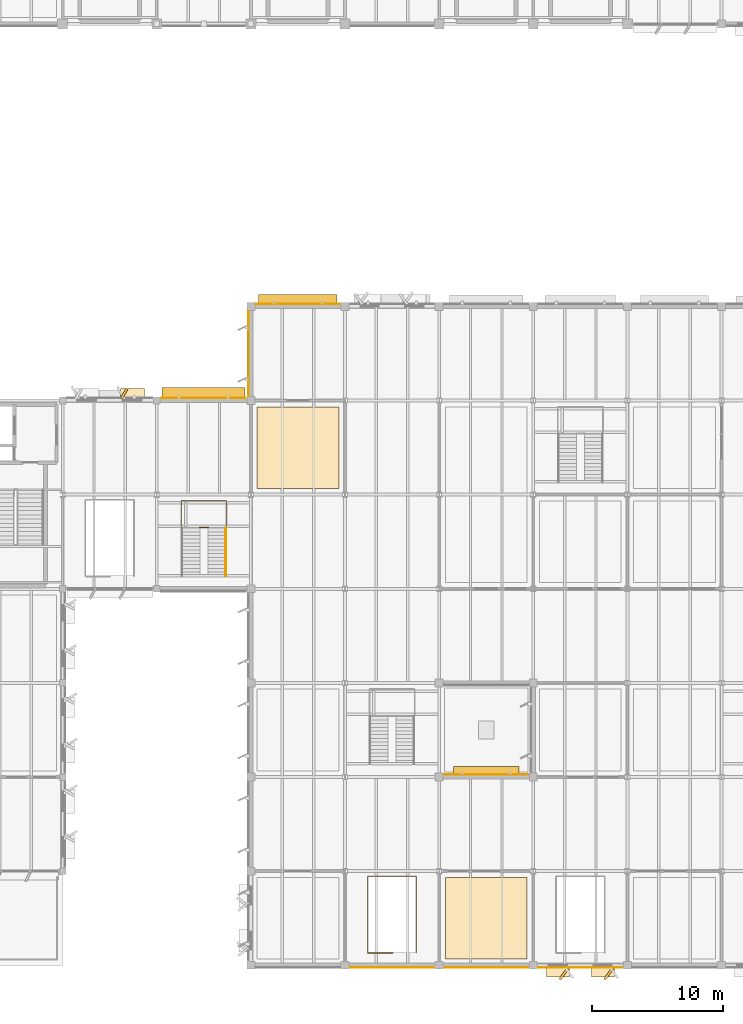
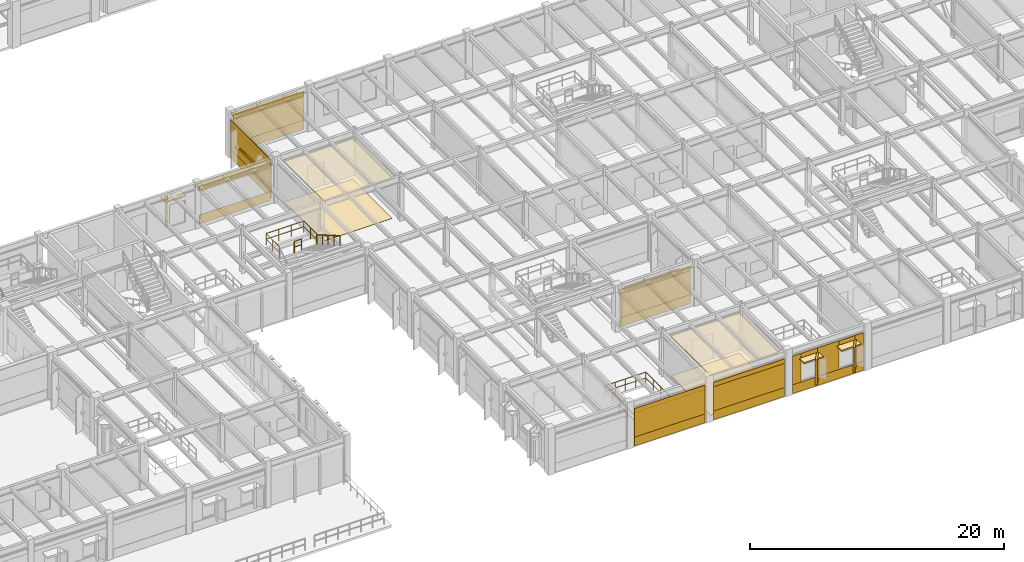
# One storey, part 80 of 92: 32 coverings, 4 railings, 4 shading devices.
"""IFC4 building model written with IfcOpenShell, lengths in metres."""

from ifc_helpers import new_model, si_unit, direction, frame, frame_2d, origin, origin_2d, place, context, subcontext, project, spatial, polyline, rectangle, circle, outline, extrude, material, layer, layer_set, type_object, element, save


model = new_model("IFC4")

# Units and contexts
model_context = context("Model", 3, precision=1e-05, world=origin(), true_north=direction((0.0, 1.0)))
body_context = subcontext(model_context, "Body", "Model", "MODEL_VIEW")
ifc_project = project(units=[si_unit("LENGTHUNIT", "METRE"), si_unit("AREAUNIT", "SQUARE_METRE"), si_unit("VOLUMEUNIT", "CUBIC_METRE"), si_unit("PLANEANGLEUNIT", "RADIAN"), si_unit("MASSUNIT", "GRAM", prefix="KILO")], contexts=[model_context])

# Site, building, storey
site_placement = place(None, origin())
site = spatial("IfcSite", under=ifc_project, at=site_placement, CompositionType="ELEMENT")
building_placement = place(site_placement, origin())
building = spatial("IfcBuilding", under=site, at=building_placement, Name="Sillqori Civic Hall", CompositionType="ELEMENT")
storey_placement = place(building_placement, frame((0.0, 0.0, 5.39990234375)))
storey = spatial("IfcBuildingStorey", under=building, at=storey_placement, Name="L02", CompositionType="ELEMENT", Elevation=5.39990234375)

# Coverings
ifc_material_1 = material(Name="Perforated Metal Coffer Panel 70", Category="aluminium")
ifc_layer_1 = layer(ifc_material_1, 0.070068359375)
ifc_layer_set_1 = layer_set([ifc_layer_1], Name="Perforated Metal Coffer Panel 70")
covering_type_1 = type_object("IfcCoveringType", Name="COV-CEIL-M70", PredefinedType="CEILING", material=ifc_layer_set_1)
covering_1_placement = place(storey_placement, frame((0.0, 0.0, 3.8310546875)))
element("IfcCovering", 1, at=covering_1_placement, inside=storey, type_object=covering_type_1, Name="Community Mediation and Legal Aid Room acoustic ceiling", PredefinedType="CEILING", context=body_context, shape_type="SweptSolid", body=[
    extrude(outline(polyline([(65.280029296875, 43.679931640625), (71.52001953125, 43.679931640625), (71.52001953125, 49.919921875), (65.280029296875, 49.919921875), (65.280029296875, 43.679931640625)])), origin(), (0.0, 0.0, 1.0), 0.070068359375),
])
ifc_material_2 = material(Name="Chamber Acoustic Coffer Liner 84", Category="timber")
ifc_layer_2 = layer(ifc_material_2, 0.083984375)
ifc_layer_set_2 = layer_set([ifc_layer_2], Name="Chamber Acoustic Coffer Liner 84")
covering_type_2 = type_object("IfcCoveringType", Name="COV-CEIL-M84", PredefinedType="CEILING", material=ifc_layer_set_2)
covering_2_placement = place(storey_placement, frame((0.0, 0.0, 3.817138671875)))
element("IfcCovering", 2, at=covering_2_placement, inside=storey, type_object=covering_type_2, Name="Atrium Exhibition Mezzanine Gallery acoustic ceiling", PredefinedType="CEILING", context=body_context, shape_type="SweptSolid", body=[
    extrude(outline(polyline([(79.679931640625, 7.679931640625), (85.919921875, 7.679931640625), (85.919921875, 13.919921875), (79.679931640625, 13.919921875), (79.679931640625, 7.679931640625)])), origin(), (0.0, 0.0, 1.0), 0.083984375),
])
ifc_material_3 = material(Name="Cochabamba Honed Limestone Cladding", Category="masonry")
ifc_layer_3 = layer(ifc_material_3, 0.044921875)
ifc_layer_set_3 = layer_set([ifc_layer_3], Name="Cochabamba Honed Limestone Cladding")
covering_type_3 = type_object("IfcCoveringType", Name="COV-CLAD-LIME", PredefinedType="CLADDING", material=ifc_layer_set_3)
covering_3_placement = place(storey_placement, frame((54.89697265625, 50.550048828125, 0.830078125), z_axis=(0.0, 0.0, 1.0), x_axis=(0.500062241894, 0.865989465428, 0.0)))
element("IfcCovering", 3, at=covering_3_placement, inside=storey, type_object=covering_type_3, Name="Sawtooth limestone angled reveal cheek L02-07-06-N.2", PredefinedType="CLADDING", context=body_context, shape_type="SweptSolid", body=[
    extrude(rectangle(XDim=0.85009765625, YDim=0.179931640625, at=frame_2d((0.425048828125, 0.0))), origin(), (0.0, 0.0, 1.0), 2.449951171875),
])
covering_4_placement = place(storey_placement, frame((54.8369140625, 50.929931640625, 3.14013671875), z_axis=(0.0, 0.0, 1.0), x_axis=(1.0, 0.0, 0.0)))
element("IfcCovering", 4, at=covering_4_placement, inside=storey, type_object=covering_type_3, Name="Sawtooth limestone window hood L02-07-06-N.2", PredefinedType="CLADDING", context=body_context, shape_type="SweptSolid", body=[
    extrude(rectangle(XDim=1.81005859375, YDim=0.780029296875, at=frame_2d((0.905029296875, 0.0))), origin(), (0.0, 0.0, 1.0), 0.139892578125),
])
covering_5_placement = place(storey_placement, frame((57.929931640625, 50.590087890625, 0.0400390625), z_axis=(0.0, 0.0, 1.0), x_axis=(1.0, 0.0, 0.0)))
element("IfcCovering", 5, at=covering_5_placement, inside=storey, type_object=covering_type_3, Name="L02 limestone spandrel cladding L02-08-06-N", PredefinedType="CLADDING", context=body_context, shape_type="SweptSolid", body=[
    extrude(rectangle(XDim=6.489990234375, YDim=0.044921875, at=frame_2d((3.2451171875, 0.0))), origin(), (0.0, 0.0, 1.0), 0.860107421875),
])
covering_6_placement = place(storey_placement, frame((57.929931640625, 50.590087890625, 3.22021484375), z_axis=(0.0, 0.0, 1.0), x_axis=(1.0, 0.0, 0.0)))
element("IfcCovering", 6, at=covering_6_placement, inside=storey, type_object=covering_type_3, Name="L02 limestone frieze cladding L02-08-06-N", PredefinedType="CLADDING", context=body_context, shape_type="SweptSolid", body=[
    extrude(rectangle(XDim=6.489990234375, YDim=0.044921875, at=frame_2d((3.2451171875, 0.0))), origin(), (0.0, 0.0, 1.0), 0.43798828125),
])
covering_7_placement = place(storey_placement, frame((65.179931640625, 57.780029296875, 0.0400390625), z_axis=(0.0, 0.0, 1.0), x_axis=(1.0, 0.0, 0.0)))
element("IfcCovering", 7, at=covering_7_placement, inside=storey, type_object=covering_type_3, Name="L02 limestone spandrel cladding L02-09-07-N", PredefinedType="CLADDING", context=body_context, shape_type="SweptSolid", body=[
    extrude(rectangle(XDim=6.440185546875, YDim=0.044921875, at=frame_2d((3.22021484375, 0.0))), origin(), (0.0, 0.0, 1.0), 0.860107421875),
])
covering_8_placement = place(storey_placement, frame((65.179931640625, 57.780029296875, 3.22021484375), z_axis=(0.0, 0.0, 1.0), x_axis=(1.0, 0.0, 0.0)))
element("IfcCovering", 8, at=covering_8_placement, inside=storey, type_object=covering_type_3, Name="L02 limestone frieze cladding L02-09-07-N", PredefinedType="CLADDING", context=body_context, shape_type="SweptSolid", body=[
    extrude(rectangle(XDim=6.440185546875, YDim=0.044921875, at=frame_2d((3.22021484375, 0.0))), origin(), (0.0, 0.0, 1.0), 0.43798828125),
])
covering_9_placement = place(storey_placement, frame((65.179931640625, 57.780029296875, 0.900146484375), z_axis=(0.0, 0.0, 1.0), x_axis=(1.0, 0.0, 0.0)))
element("IfcCovering", 9, at=covering_9_placement, inside=storey, type_object=covering_type_3, Name="L02 Wedge Hall limestone pier cladding L02-09-07-N.1", PredefinedType="CLADDING", context=body_context, shape_type="SweptSolid", body=[
    extrude(rectangle(XDim=6.440185546875, YDim=0.044921875, at=frame_2d((3.22021484375, 0.0))), origin(), (0.0, 0.0, 1.0), 2.758056640625),
])
covering_10_placement = place(storey_placement, frame((64.6201171875, 50.780029296875, 0.0400390625), z_axis=(0.0, 0.0, 1.0), x_axis=(0.0, 1.0, 0.0)))
element("IfcCovering", 10, at=covering_10_placement, inside=storey, type_object=covering_type_3, Name="L02 limestone spandrel cladding L02-09-07-W", PredefinedType="CLADDING", context=body_context, shape_type="SweptSolid", body=[
    extrude(rectangle(XDim=6.43994140625, YDim=0.044921875, at=frame_2d((3.219970703125, 0.0))), origin(), (0.0, 0.0, 1.0), 0.860107421875),
])
covering_11_placement = place(storey_placement, frame((64.6201171875, 50.780029296875, 3.22021484375), z_axis=(0.0, 0.0, 1.0), x_axis=(0.0, 1.0, 0.0)))
element("IfcCovering", 11, at=covering_11_placement, inside=storey, type_object=covering_type_3, Name="L02 limestone frieze cladding L02-09-07-W", PredefinedType="CLADDING", context=body_context, shape_type="SweptSolid", body=[
    extrude(rectangle(XDim=6.43994140625, YDim=0.044921875, at=frame_2d((3.219970703125, 0.0))), origin(), (0.0, 0.0, 1.0), 0.5068359375),
])
covering_12_placement = place(storey_placement, frame((64.6201171875, 50.780029296875, 0.900146484375), z_axis=(0.0, 0.0, 1.0), x_axis=(0.0, 1.0, 0.0)))
element("IfcCovering", 12, at=covering_12_placement, inside=storey, type_object=covering_type_3, Name="L02 Wedge Hall limestone pier cladding L02-09-07-W.1", PredefinedType="CLADDING", context=body_context, shape_type="SweptSolid", body=[
    extrude(rectangle(XDim=6.43994140625, YDim=0.044921875, at=frame_2d((3.219970703125, 0.0))), origin(), (0.0, 0.0, 1.0), 2.826904296875),
])
covering_13_placement = place(storey_placement, frame((78.820068359375, 7.02001953125, 0.0400390625), z_axis=(0.0, 0.0, 1.0), x_axis=(-1.0, 0.0, 0.0)))
element("IfcCovering", 13, at=covering_13_placement, inside=storey, type_object=covering_type_3, Name="L02 limestone spandrel cladding L02-10-01-S", PredefinedType="CLADDING", context=body_context, shape_type="SweptSolid", body=[
    extrude(rectangle(XDim=6.440185546875, YDim=0.044921875, at=frame_2d((3.22021484375, 0.0))), origin(), (0.0, 0.0, 1.0), 0.860107421875),
])
covering_14_placement = place(storey_placement, frame((78.820068359375, 7.02001953125, 3.22021484375), z_axis=(0.0, 0.0, 1.0), x_axis=(-1.0, 0.0, 0.0)))
element("IfcCovering", 14, at=covering_14_placement, inside=storey, type_object=covering_type_3, Name="L02 limestone frieze cladding L02-10-01-S", PredefinedType="CLADDING", context=body_context, shape_type="SweptSolid", body=[
    extrude(rectangle(XDim=6.440185546875, YDim=0.044921875, at=frame_2d((3.22021484375, 0.0))), origin(), (0.0, 0.0, 1.0), 0.43798828125),
])
covering_15_placement = place(storey_placement, frame((78.820068359375, 7.02001953125, 0.900146484375), z_axis=(0.0, 0.0, 1.0), x_axis=(-1.0, 0.0, 0.0)))
element("IfcCovering", 15, at=covering_15_placement, inside=storey, type_object=covering_type_3, Name="L02 Wedge Hall limestone pier cladding L02-10-01-S.1", PredefinedType="CLADDING", context=body_context, shape_type="SweptSolid", body=[
    extrude(rectangle(XDim=6.440185546875, YDim=0.044921875, at=frame_2d((3.22021484375, 0.0))), origin(), (0.0, 0.0, 1.0), 2.758056640625),
])
covering_16_placement = place(storey_placement, frame((86.02001953125, 7.02001953125, 0.0400390625), z_axis=(0.0, 0.0, 1.0), x_axis=(-1.0, 0.0, 0.0)))
element("IfcCovering", 16, at=covering_16_placement, inside=storey, type_object=covering_type_3, Name="L02 limestone spandrel cladding L02-11-01-S", PredefinedType="CLADDING", context=body_context, shape_type="SweptSolid", body=[
    extrude(rectangle(XDim=6.43994140625, YDim=0.044921875, at=frame_2d((3.219970703125, 0.0))), origin(), (0.0, 0.0, 1.0), 0.860107421875),
])
covering_17_placement = place(storey_placement, frame((86.02001953125, 7.02001953125, 3.22021484375), z_axis=(0.0, 0.0, 1.0), x_axis=(-1.0, 0.0, 0.0)))
element("IfcCovering", 17, at=covering_17_placement, inside=storey, type_object=covering_type_3, Name="L02 limestone frieze cladding L02-11-01-S", PredefinedType="CLADDING", context=body_context, shape_type="SweptSolid", body=[
    extrude(rectangle(XDim=6.43994140625, YDim=0.044921875, at=frame_2d((3.219970703125, 0.0))), origin(), (0.0, 0.0, 1.0), 0.43798828125),
])
covering_18_placement = place(storey_placement, frame((86.02001953125, 7.02001953125, 0.900146484375), z_axis=(0.0, 0.0, 1.0), x_axis=(-1.0, 0.0, 0.0)))
element("IfcCovering", 18, at=covering_18_placement, inside=storey, type_object=covering_type_3, Name="L02 Wedge Hall limestone pier cladding L02-11-01-S.1", PredefinedType="CLADDING", context=body_context, shape_type="SweptSolid", body=[
    extrude(rectangle(XDim=6.43994140625, YDim=0.044921875, at=frame_2d((3.219970703125, 0.0))), origin(), (0.0, 0.0, 1.0), 2.758056640625),
])
covering_19_placement = place(storey_placement, frame((79.580078125, 21.780029296875, 0.0400390625), z_axis=(0.0, 0.0, 1.0), x_axis=(1.0, 0.0, 0.0)))
element("IfcCovering", 19, at=covering_19_placement, inside=storey, type_object=covering_type_3, Name="L02 limestone spandrel cladding L02-11-02-N", PredefinedType="CLADDING", context=body_context, shape_type="SweptSolid", body=[
    extrude(rectangle(XDim=6.43994140625, YDim=0.044921875, at=frame_2d((3.219970703125, 0.0))), origin(), (0.0, 0.0, 1.0), 0.860107421875),
])
covering_20_placement = place(storey_placement, frame((79.580078125, 21.780029296875, 3.22021484375), z_axis=(0.0, 0.0, 1.0), x_axis=(1.0, 0.0, 0.0)))
element("IfcCovering", 20, at=covering_20_placement, inside=storey, type_object=covering_type_3, Name="L02 limestone frieze cladding L02-11-02-N", PredefinedType="CLADDING", context=body_context, shape_type="SweptSolid", body=[
    extrude(rectangle(XDim=6.43994140625, YDim=0.044921875, at=frame_2d((3.219970703125, 0.0))), origin(), (0.0, 0.0, 1.0), 0.43798828125),
])
covering_21_placement = place(storey_placement, frame((79.580078125, 21.780029296875, 0.900146484375), z_axis=(0.0, 0.0, 1.0), x_axis=(1.0, 0.0, 0.0)))
element("IfcCovering", 21, at=covering_21_placement, inside=storey, type_object=covering_type_3, Name="L02 Wedge Hall limestone pier cladding L02-11-02-N.1", PredefinedType="CLADDING", context=body_context, shape_type="SweptSolid", body=[
    extrude(rectangle(XDim=6.43994140625, YDim=0.044921875, at=frame_2d((3.219970703125, 0.0))), origin(), (0.0, 0.0, 1.0), 2.758056640625),
])
covering_22_placement = place(storey_placement, frame((93.219970703125, 7.02001953125, 0.0400390625), z_axis=(0.0, 0.0, 1.0), x_axis=(-1.0, 0.0, 0.0)))
element("IfcCovering", 22, at=covering_22_placement, inside=storey, type_object=covering_type_3, Name="L02 limestone spandrel cladding L02-12-01-S", PredefinedType="CLADDING", context=body_context, shape_type="SweptSolid", body=[
    extrude(rectangle(XDim=6.43994140625, YDim=0.044921875, at=frame_2d((3.219970703125, 0.0))), origin(), (0.0, 0.0, 1.0), 0.860107421875),
])
covering_23_placement = place(storey_placement, frame((93.219970703125, 7.02001953125, 3.22021484375), z_axis=(0.0, 0.0, 1.0), x_axis=(-1.0, 0.0, 0.0)))
element("IfcCovering", 23, at=covering_23_placement, inside=storey, type_object=covering_type_3, Name="L02 limestone frieze cladding L02-12-01-S", PredefinedType="CLADDING", context=body_context, shape_type="SweptSolid", body=[
    extrude(rectangle(XDim=6.43994140625, YDim=0.044921875, at=frame_2d((3.219970703125, 0.0))), origin(), (0.0, 0.0, 1.0), 0.43798828125),
])
covering_24_placement = place(storey_placement, frame((93.219970703125, 7.02001953125, 0.900146484375), z_axis=(0.0, 0.0, 1.0), x_axis=(-1.0, 0.0, 0.0)))
element("IfcCovering", 24, at=covering_24_placement, inside=storey, type_object=covering_type_3, Name="L02 Wedge Hall limestone pier cladding L02-12-01-S.1", PredefinedType="CLADDING", context=body_context, shape_type="SweptSolid", body=[
    extrude(rectangle(XDim=0.763916015625, YDim=0.044921875, at=frame_2d((0.3818359375, 0.0))), origin(), (0.0, 0.0, 1.0), 2.758056640625),
])
covering_25_placement = place(storey_placement, frame((90.97607421875, 7.02001953125, 0.900146484375), z_axis=(0.0, 0.0, 1.0), x_axis=(-1.0, 0.0, 0.0)))
element("IfcCovering", 25, at=covering_25_placement, inside=storey, type_object=covering_type_3, Name="L02 Wedge Hall limestone pier cladding L02-12-01-S.2", PredefinedType="CLADDING", context=body_context, shape_type="SweptSolid", body=[
    extrude(rectangle(XDim=1.9521484375, YDim=0.044921875, at=frame_2d((0.97607421875, 0.0))), origin(), (0.0, 0.0, 1.0), 2.758056640625),
])
covering_26_placement = place(storey_placement, frame((87.5439453125, 7.02001953125, 0.900146484375), z_axis=(0.0, 0.0, 1.0), x_axis=(-1.0, 0.0, 0.0)))
element("IfcCovering", 26, at=covering_26_placement, inside=storey, type_object=covering_type_3, Name="L02 Wedge Hall limestone pier cladding L02-12-01-S.3", PredefinedType="CLADDING", context=body_context, shape_type="SweptSolid", body=[
    extrude(rectangle(XDim=0.763916015625, YDim=0.044921875, at=frame_2d((0.3818359375, 0.0))), origin(), (0.0, 0.0, 1.0), 2.758056640625),
])
covering_27_placement = place(storey_placement, frame((92.535888671875, 7.06005859375, 0.830078125), z_axis=(0.0, 0.0, 1.0), x_axis=(-0.587666635914, -0.809103160934, 0.0)))
element("IfcCovering", 27, at=covering_27_placement, inside=storey, type_object=covering_type_3, Name="Sawtooth limestone angled reveal cheek L02-12-01-S.1", PredefinedType="CLADDING", context=body_context, shape_type="SweptSolid", body=[
    extrude(rectangle(XDim=1.14990234375, YDim=0.179931640625, at=frame_2d((0.574951171875, 0.0))), origin(), (0.0, 0.0, 1.0), 2.39990234375),
])
covering_28_placement = place(storey_placement, frame((92.595947265625, 6.679931640625, 3.090087890625), z_axis=(0.0, 0.0, 1.0), x_axis=(-1.0, 0.0, 0.0)))
element("IfcCovering", 28, at=covering_28_placement, inside=storey, type_object=covering_type_3, Name="Sawtooth limestone window hood L02-12-01-S.1", PredefinedType="CLADDING", context=body_context, shape_type="SweptSolid", body=[
    extrude(rectangle(XDim=1.760009765625, YDim=0.780029296875, at=frame_2d((0.8798828125, 0.0))), origin(), (0.0, 0.0, 1.0), 0.139892578125),
])
covering_29_placement = place(storey_placement, frame((89.10400390625, 7.06005859375, 0.830078125), z_axis=(0.0, 0.0, 1.0), x_axis=(-0.587805596445, -0.809002213092, 0.0)))
element("IfcCovering", 29, at=covering_29_placement, inside=storey, type_object=covering_type_3, Name="Sawtooth limestone angled reveal cheek L02-12-01-S.2", PredefinedType="CLADDING", context=body_context, shape_type="SweptSolid", body=[
    extrude(rectangle(XDim=1.150146484375, YDim=0.179931640625, at=frame_2d((0.5751953125, 0.0))), origin(), (0.0, 0.0, 1.0), 2.39990234375),
])
covering_30_placement = place(storey_placement, frame((89.1640625, 6.679931640625, 3.090087890625), z_axis=(0.0, 0.0, 1.0), x_axis=(-1.0, 0.0, 0.0)))
element("IfcCovering", 30, at=covering_30_placement, inside=storey, type_object=covering_type_3, Name="Sawtooth limestone window hood L02-12-01-S.2", PredefinedType="CLADDING", context=body_context, shape_type="SweptSolid", body=[
    extrude(rectangle(XDim=1.760009765625, YDim=0.780029296875, at=frame_2d((0.8798828125, 0.0))), origin(), (0.0, 0.0, 1.0), 0.139892578125),
])
ifc_material_4 = material(Name="Vitrified Porcelain Tile 18", Category="ceramic")
ifc_layer_4 = layer(ifc_material_4, 0.01806640625)
ifc_layer_set_4 = layer_set([ifc_layer_4], Name="Vitrified Porcelain Tile 18")
covering_type_4 = type_object("IfcCoveringType", Name="COV-FLR-P18", PredefinedType="FLOORING", material=ifc_layer_set_4)
covering_31_placement = place(storey_placement, origin())
element("IfcCovering", 31, at=covering_31_placement, inside=storey, type_object=covering_type_4, Name="Community Mediation and Legal Aid Room floor finish", PredefinedType="FLOORING", context=body_context, shape_type="SweptSolid", body=[
    extrude(outline(polyline([(65.280029296875, 43.679931640625), (71.52001953125, 43.679931640625), (71.52001953125, 49.919921875), (65.280029296875, 49.919921875), (65.280029296875, 43.679931640625)])), origin(), (0.0, 0.0, 1.0), 0.01806640625),
])
ifc_material_5 = material(Name="Raised Access Technical Floor Panel 62", Category="stone")
ifc_layer_5 = layer(ifc_material_5, 0.06201171875)
ifc_layer_set_5 = layer_set([ifc_layer_5], Name="Raised Access Technical Floor Panel 62")
covering_type_5 = type_object("IfcCoveringType", Name="COV-FLR-S62", PredefinedType="FLOORING", material=ifc_layer_set_5)
covering_32_placement = place(storey_placement, origin())
element("IfcCovering", 32, at=covering_32_placement, inside=storey, type_object=covering_type_5, Name="Atrium Exhibition Mezzanine Gallery floor finish", PredefinedType="FLOORING", context=body_context, shape_type="SweptSolid", body=[
    extrude(outline(polyline([(79.679931640625, 7.679931640625), (85.919921875, 7.679931640625), (85.919921875, 13.919921875), (79.679931640625, 13.919921875), (79.679931640625, 7.679931640625)])), origin(), (0.0, 0.0, 1.0), 0.06201171875),
])

# Railings
ifc_material_6 = material(Name="Architectural Bronze and Tempered Glass Balustrade", Category="glass")
ifc_layer_6 = layer(ifc_material_6, 0.080078125)
ifc_layer_set_6 = layer_set([ifc_layer_6], Name="Architectural Bronze and Tempered Glass Balustrade")
railing_type_1 = type_object("IfcRailingType", Name="RLG-BALU-115", PredefinedType="BALUSTRADE", material=ifc_layer_set_6)
railing_1_placement = place(storey_placement, frame((75.659912109375, 8.139892578125, 0.0)))
element("IfcRailing", 33, at=railing_1_placement, inside=storey, type_object=railing_type_1, Name="Wedge Hall South-West Grand Stair L01-L02 upper atrium well balustrade", PredefinedType="BALUSTRADE", context=body_context, shape_type="SweptSolid", body=[
    extrude(circle(Radius=0.02392578125, at=origin_2d()), frame((0.0, 0.0, 1.1259765625), z_axis=(-1.0, 0.0, 0.0), x_axis=(0.0, -1.0, 0.0)), (0.0, 0.0, 1.0), 1.919921875),
    extrude(circle(Radius=0.02392578125, at=origin_2d()), frame((0.0, 0.0, 0.574951171875), z_axis=(-1.0, 0.0, 0.0), x_axis=(0.0, -1.0, 0.0)), (0.0, 0.0, 1.0), 1.919921875),
    extrude(circle(Radius=0.02392578125, at=origin_2d()), frame((-1.919921875, 0.0, 1.1259765625), z_axis=(0.0, 1.0, 0.0), x_axis=(-1.0, 0.0, 0.0)), (0.0, 0.0, 1.0), 5.8701171875),
    extrude(circle(Radius=0.02392578125, at=origin_2d()), frame((-1.919921875, 0.0, 0.574951171875), z_axis=(0.0, 1.0, 0.0), x_axis=(-1.0, 0.0, 0.0)), (0.0, 0.0, 1.0), 5.8701171875),
    extrude(circle(Radius=0.02392578125, at=origin_2d()), frame((-1.919921875, 5.8701171875, 1.1259765625), z_axis=(1.0, 0.0, 0.0), x_axis=(0.0, 1.0, 0.0)), (0.0, 0.0, 1.0), 3.719970703125),
    extrude(circle(Radius=0.02392578125, at=origin_2d()), frame((-1.919921875, 5.8701171875, 0.574951171875), z_axis=(1.0, 0.0, 0.0), x_axis=(0.0, 1.0, 0.0)), (0.0, 0.0, 1.0), 3.719970703125),
    extrude(circle(Radius=0.02392578125, at=origin_2d()), frame((1.800048828125, 5.8701171875, 1.1259765625), z_axis=(0.0, -1.0, 0.0), x_axis=(1.0, 0.0, 0.0)), (0.0, 0.0, 1.0), 5.8701171875),
    extrude(circle(Radius=0.02392578125, at=origin_2d()), frame((1.800048828125, 5.8701171875, 0.574951171875), z_axis=(0.0, -1.0, 0.0), x_axis=(1.0, 0.0, 0.0)), (0.0, 0.0, 1.0), 5.8701171875),
    extrude(circle(Radius=0.02099609375, at=origin_2d()), origin(), (0.0, 0.0, 1.0), 1.101806640625),
    extrude(circle(Radius=0.02099609375, at=origin_2d()), frame((-0.9599609375, 0.0, 0.0)), (0.0, 0.0, 1.0), 1.101806640625),
    extrude(circle(Radius=0.02099609375, at=origin_2d()), frame((-1.919921875, 0.0, 0.0)), (0.0, 0.0, 1.0), 1.101806640625),
    extrude(circle(Radius=0.02099609375, at=origin_2d()), frame((-1.919921875, 1.174072265625, 0.0)), (0.0, 0.0, 1.0), 1.101806640625),
    extrude(circle(Radius=0.02099609375, at=origin_2d()), frame((-1.919921875, 2.34814453125, 0.0)), (0.0, 0.0, 1.0), 1.101806640625),
    extrude(circle(Radius=0.02099609375, at=origin_2d()), frame((-1.919921875, 3.52197265625, 0.0)), (0.0, 0.0, 1.0), 1.101806640625),
    extrude(circle(Radius=0.02099609375, at=origin_2d()), frame((-1.919921875, 4.696044921875, 0.0)), (0.0, 0.0, 1.0), 1.101806640625),
    extrude(circle(Radius=0.02099609375, at=origin_2d()), frame((-1.919921875, 5.8701171875, 0.0)), (0.0, 0.0, 1.0), 1.101806640625),
    extrude(circle(Radius=0.02099609375, at=origin_2d()), frame((-0.989990234375, 5.8701171875, 0.0)), (0.0, 0.0, 1.0), 1.101806640625),
    extrude(circle(Radius=0.02099609375, at=origin_2d()), frame((-0.06005859375, 5.8701171875, 0.0)), (0.0, 0.0, 1.0), 1.101806640625),
    extrude(circle(Radius=0.02099609375, at=origin_2d()), frame((0.8701171875, 5.8701171875, 0.0)), (0.0, 0.0, 1.0), 1.101806640625),
    extrude(circle(Radius=0.02099609375, at=origin_2d()), frame((1.800048828125, 5.8701171875, 0.0)), (0.0, 0.0, 1.0), 1.101806640625),
    extrude(circle(Radius=0.02099609375, at=origin_2d()), frame((1.800048828125, 4.696044921875, 0.0)), (0.0, 0.0, 1.0), 1.101806640625),
    extrude(circle(Radius=0.02099609375, at=origin_2d()), frame((1.800048828125, 3.52197265625, 0.0)), (0.0, 0.0, 1.0), 1.101806640625),
    extrude(circle(Radius=0.02099609375, at=origin_2d()), frame((1.800048828125, 2.34814453125, 0.0)), (0.0, 0.0, 1.0), 1.101806640625),
    extrude(circle(Radius=0.02099609375, at=origin_2d()), frame((1.800048828125, 1.174072265625, 0.0)), (0.0, 0.0, 1.0), 1.101806640625),
    extrude(circle(Radius=0.02099609375, at=origin_2d()), frame((1.800048828125, 0.0, 0.0)), (0.0, 0.0, 1.0), 1.101806640625),
])
ifc_material_7 = material(Name="Brushed Stainless Steel 316 Handrail", Category="steel")
ifc_layer_7 = layer(ifc_material_7, 0.044921875)
ifc_layer_set_7 = layer_set([ifc_layer_7], Name="Brushed Stainless Steel 316 Handrail")
railing_type_2 = type_object("IfcRailingType", Name="RLG-CORE-092", PredefinedType="HANDRAIL", material=ifc_layer_set_7)
railing_2_placement = place(storey_placement, frame((62.8798828125, 40.639892578125, 2.410888671875)))
element("IfcRailing", 34, at=railing_2_placement, inside=storey, type_object=railing_type_2, Name="Council Link Gallery Stair L02-L03 handrail E", PredefinedType="HANDRAIL", context=body_context, shape_type="SweptSolid", body=[
    extrude(circle(Radius=0.02392578125, at=origin_2d()), frame((0.0, 0.0, 0.89599609375), z_axis=(0.0, -0.867300072446, 0.497785681127), x_axis=(1.0, 0.0, 0.0)), (0.0, 0.0, 1.0), 4.19677734375),
    extrude(circle(Radius=0.02099609375, at=origin_2d()), origin(), (0.0, 0.0, 1.0), 0.871826171875),
    extrude(circle(Radius=0.02099609375, at=origin_2d()), frame((0.0, -0.909912109375, 0.522216796875)), (0.0, 0.0, 1.0), 0.871826171875),
    extrude(circle(Radius=0.02099609375, at=origin_2d()), frame((0.0, -1.81982421875, 1.04443359375)), (0.0, 0.0, 1.0), 0.871826171875),
    extrude(circle(Radius=0.02099609375, at=origin_2d()), frame((0.0, -2.72998046875, 1.56689453125)), (0.0, 0.0, 1.0), 0.871826171875),
    extrude(circle(Radius=0.02099609375, at=origin_2d()), frame((0.0, -3.639892578125, 2.089111328125)), (0.0, 0.0, 1.0), 0.871826171875),
])
ifc_material_8 = material(Name="Stainless Steel 316 and Laminated Balustrade", Category="steel")
ifc_layer_8 = layer(ifc_material_8, 0.06005859375)
ifc_layer_set_8 = layer_set([ifc_layer_8], Name="Stainless Steel 316 and Laminated Balustrade")
railing_type_3 = type_object("IfcRailingType", Name="RLG-TERR-112", PredefinedType="GUARDRAIL", material=ifc_layer_set_8)
railing_3_placement = place(storey_placement, frame((59.47998046875, 40.639892578125, 2.25)))
element("IfcRailing", 35, at=railing_3_placement, inside=storey, type_object=railing_type_3, Name="Council Link Gallery Stair L02-L03 half-landing guard", PredefinedType="GUARDRAIL", context=body_context, shape_type="SweptSolid", body=[
    extrude(circle(Radius=0.02392578125, at=origin_2d()), frame((0.0, 0.0, 1.09619140625), z_axis=(0.0, 1.0, 0.0), x_axis=(-1.0, 0.0, 0.0)), (0.0, 0.0, 1.0), 2.090087890625),
    extrude(circle(Radius=0.02392578125, at=origin_2d()), frame((0.0, 0.0, 0.56005859375), z_axis=(0.0, 1.0, 0.0), x_axis=(-1.0, 0.0, 0.0)), (0.0, 0.0, 1.0), 2.090087890625),
    extrude(circle(Radius=0.02392578125, at=origin_2d()), frame((0.0, 2.090087890625, 1.09619140625), z_axis=(1.0, 0.0, 0.0), x_axis=(0.0, 1.0, 0.0)), (0.0, 0.0, 1.0), 3.43994140625),
    extrude(circle(Radius=0.02392578125, at=origin_2d()), frame((0.0, 2.090087890625, 0.56005859375), z_axis=(1.0, 0.0, 0.0), x_axis=(0.0, 1.0, 0.0)), (0.0, 0.0, 1.0), 3.43994140625),
    extrude(circle(Radius=0.02392578125, at=origin_2d()), frame((3.43994140625, 2.090087890625, 1.09619140625), z_axis=(0.0, -1.0, 0.0), x_axis=(1.0, 0.0, 0.0)), (0.0, 0.0, 1.0), 2.090087890625),
    extrude(circle(Radius=0.02392578125, at=origin_2d()), frame((3.43994140625, 2.090087890625, 0.56005859375), z_axis=(0.0, -1.0, 0.0), x_axis=(1.0, 0.0, 0.0)), (0.0, 0.0, 1.0), 2.090087890625),
    extrude(circle(Radius=0.02099609375, at=origin_2d()), origin(), (0.0, 0.0, 1.0), 1.072021484375),
    extrude(circle(Radius=0.02099609375, at=origin_2d()), frame((0.0, 1.044921875, 0.0)), (0.0, 0.0, 1.0), 1.072021484375),
    extrude(circle(Radius=0.02099609375, at=origin_2d()), frame((0.0, 2.090087890625, 0.0)), (0.0, 0.0, 1.0), 1.072021484375),
    extrude(circle(Radius=0.02099609375, at=origin_2d()), frame((1.146728515625, 2.090087890625, 0.0)), (0.0, 0.0, 1.0), 1.072021484375),
    extrude(circle(Radius=0.02099609375, at=origin_2d()), frame((2.293212890625, 2.090087890625, 0.0)), (0.0, 0.0, 1.0), 1.072021484375),
    extrude(circle(Radius=0.02099609375, at=origin_2d()), frame((3.43994140625, 2.090087890625, 0.0)), (0.0, 0.0, 1.0), 1.072021484375),
    extrude(circle(Radius=0.02099609375, at=origin_2d()), frame((3.43994140625, 1.044921875, 0.0)), (0.0, 0.0, 1.0), 1.072021484375),
    extrude(circle(Radius=0.02099609375, at=origin_2d()), frame((3.43994140625, 0.0, 0.0)), (0.0, 0.0, 1.0), 1.072021484375),
])
railing_4_placement = place(storey_placement, frame((60.860107421875, 40.679931640625, 2.25)))
element("IfcRailing", 36, at=railing_4_placement, inside=storey, type_object=railing_type_3, Name="Council Link Gallery Stair L02-L03 half-landing inner well guard", PredefinedType="GUARDRAIL", context=body_context, shape_type="SweptSolid", body=[
    extrude(circle(Radius=0.02392578125, at=origin_2d()), frame((0.0, 0.0, 1.09619140625), z_axis=(1.0, 0.0, 0.0), x_axis=(0.0, 1.0, 0.0)), (0.0, 0.0, 1.0), 0.679931640625),
    extrude(circle(Radius=0.02392578125, at=origin_2d()), frame((0.0, 0.0, 0.56005859375), z_axis=(1.0, 0.0, 0.0), x_axis=(0.0, 1.0, 0.0)), (0.0, 0.0, 1.0), 0.679931640625),
    extrude(circle(Radius=0.02099609375, at=origin_2d()), origin(), (0.0, 0.0, 1.0), 1.072021484375),
    extrude(circle(Radius=0.02099609375, at=origin_2d()), frame((0.679931640625, 0.0, 0.0)), (0.0, 0.0, 1.0), 1.072021484375),
])

# Shading devices
ifc_material_9 = material(Name="Anodized Aluminium Solar Control Louvre", Category="aluminium")
shading_device_type_1 = type_object("IfcShadingDeviceType", Name="SHD-CLAU-320", PredefinedType="SHUTTER", material=ifc_material_9)
shading_device_1_placement = place(storey_placement, frame((64.580078125, 54.0, 1.8037109375), z_axis=(0.0, 0.0, 1.0), x_axis=(0.0, 1.0, 0.0)))
element("IfcShadingDevice", 37, at=shading_device_1_placement, inside=storey, type_object=shading_device_type_1, Name="L02 pierced claustra screen L02-09-07-W", PredefinedType="SHUTTER", context=body_context, shape_type="SweptSolid", body=[
    extrude(rectangle(XDim=3.199951171875, YDim=0.159912109375, at=origin_2d()), origin(), (0.0, 0.0, 1.0), 0.159912109375),
])
shading_device_type_2 = type_object("IfcShadingDeviceType", Name="SHD-HOOD-500", PredefinedType="JALOUSIE", material=ifc_material_9)
shading_device_2_placement = place(storey_placement, frame((82.800048828125, 22.070068359375, 3.169921875), z_axis=(0.0, 0.0, 1.0), x_axis=(1.0, 0.0, 0.0)))
element("IfcShadingDevice", 38, at=shading_device_2_placement, inside=storey, type_object=shading_device_type_2, Name="L02 north solar hood L02-11-02-N", PredefinedType="JALOUSIE", context=body_context, shape_type="SweptSolid", body=[
    extrude(rectangle(XDim=5.0, YDim=0.64990234375, at=origin_2d()), origin(), (0.0, 0.0, 1.0), 0.139892578125),
])
shading_device_type_3 = type_object("IfcShadingDeviceType", Name="SHD-HOOD-600", PredefinedType="JALOUSIE", material=ifc_material_9)
shading_device_3_placement = place(storey_placement, frame((68.39990234375, 58.135009765625, 3.169921875), z_axis=(0.0, 0.0, 1.0), x_axis=(1.0, 0.0, 0.0)))
element("IfcShadingDevice", 39, at=shading_device_3_placement, inside=storey, type_object=shading_device_type_3, Name="L02 north solar hood L02-09-07-N", PredefinedType="JALOUSIE", context=body_context, shape_type="SweptSolid", body=[
    extrude(rectangle(XDim=6.0, YDim=0.780029296875, at=origin_2d()), origin(), (0.0, 0.0, 1.0), 0.139892578125),
])
shading_device_type_4 = type_object("IfcShadingDeviceType", Name="SHD-HOOD-640", PredefinedType="JALOUSIE", material=ifc_material_9)
shading_device_4_placement = place(storey_placement, frame((61.175048828125, 50.97998046875, 3.169921875), z_axis=(0.0, 0.0, 1.0), x_axis=(1.0, 0.0, 0.0)))
element("IfcShadingDevice", 40, at=shading_device_4_placement, inside=storey, type_object=shading_device_type_4, Name="L02 north solar hood L02-08-06-N", PredefinedType="JALOUSIE", context=body_context, shape_type="SweptSolid", body=[
    extrude(rectangle(XDim=6.35009765625, YDim=0.85009765625, at=origin_2d()), origin(), (0.0, 0.0, 1.0), 0.139892578125),
])

save(model, "model.ifc")
